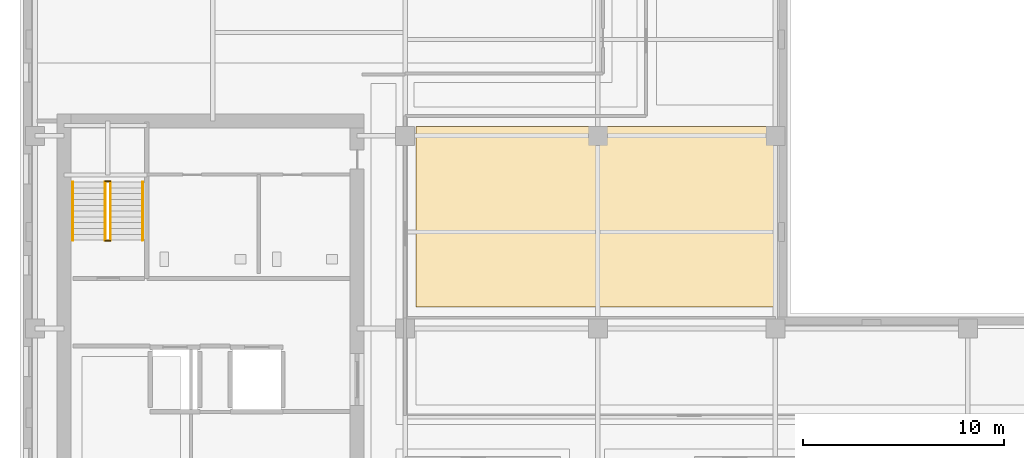
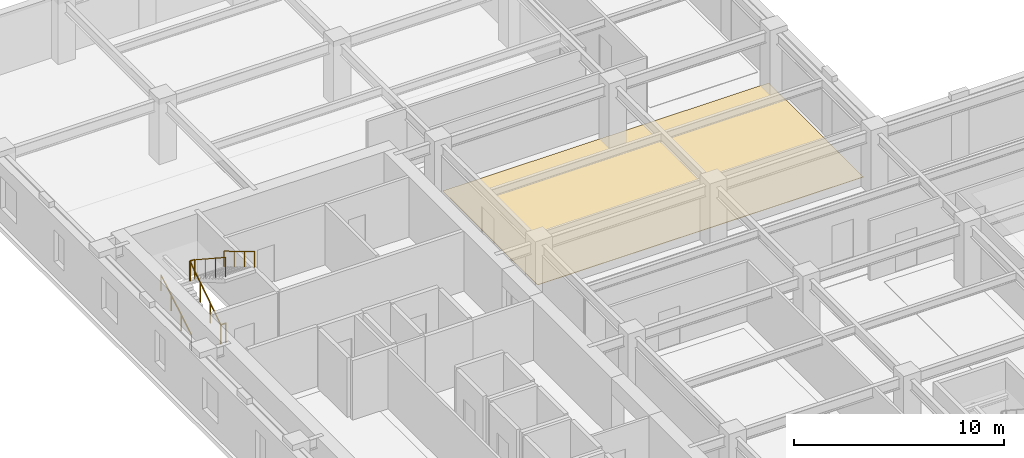
# One storey, part 11 of 13: 6 railings, 1 covering.
"""IFC4 building model written with IfcOpenShell, lengths in metres."""

import ifcopenshell
import ifcopenshell.guid

model = None  # the IFC model being written
_history = None  # IfcOwnerHistory: only IFC2X3 demands one
_inside = {}  # id of a spatial element -> (the spatial element, [elements in it])
_under = {}  # id of a project, library or spatial element -> (it, [spatial elements below it])
_declared = {}  # id of a project -> (the project, [libraries it declares])
_typed = {}  # id of a type object -> (the type object, [elements of that type])
_made_of = {}  # id of a material, layer set ... -> (it, [elements and type objects made of it])


def new_model(schema):
    """Start an empty IFC model of exactly this schema.

    Asked for "IFC4X3", IfcOpenShell would pick the latest addendum, in which some entities
    have other attributes; the version numbers below select the first issue.
    IFC2X3 requires an IfcOwnerHistory on every rooted entity: one is made here for all.
    """
    global model, _history
    if schema == "IFC4X3":
        model = ifcopenshell.file(schema_version=(4, 3, 0, 0))
    else:
        model = ifcopenshell.file(schema=schema)
    _inside.clear()
    _under.clear()
    _declared.clear()
    _typed.clear()
    _made_of.clear()
    _history = None
    if model.schema == "IFC2X3":
        org = make("IfcOrganization", Name="unknown")
        user = make(
            "IfcPersonAndOrganization",
            ThePerson=make("IfcPerson", FamilyName="unknown"),
            TheOrganization=org,
        )
        app = make(
            "IfcApplication",
            ApplicationDeveloper=org,
            Version="unknown",
            ApplicationFullName="unknown",
            ApplicationIdentifier="unknown",
        )
        _history = make(
            "IfcOwnerHistory",
            OwningUser=user,
            OwningApplication=app,
            ChangeAction="ADDED",
            CreationDate=0,
        )
    return model


def make(cls, **values):
    """One entity of the class cls with the attributes given. An attribute that is None is left unset."""
    return model.create_entity(
        cls, **{name: value for name, value in values.items() if value is not None}
    )


def rooted(cls, **values):
    """An entity with a GlobalId (a new one), such as an element, a storey or a relation."""
    return make(cls, GlobalId=ifcopenshell.guid.new(), OwnerHistory=_history, **values)


def si_unit(unit_type, name, prefix=None):
    """IfcSIUnit, for example si_unit("LENGTHUNIT", "METRE", prefix="MILLI")."""
    return make("IfcSIUnit", UnitType=unit_type, Prefix=prefix, Name=name)


def assignment(units):
    """IfcUnitAssignment: the units of a project."""
    return None if units is None else make("IfcUnitAssignment", Units=units)


def point(xyz):
    """IfcCartesianPoint."""
    return None if xyz is None else make("IfcCartesianPoint", Coordinates=xyz)


def direction(xyz):
    """IfcDirection."""
    return None if xyz is None else make("IfcDirection", DirectionRatios=xyz)


def frame(location, z_axis=None, x_axis=None):
    """IfcAxis2Placement3D, a coordinate frame: its origin and axes. An axis left out is left unset."""
    return make(
        "IfcAxis2Placement3D",
        Location=point(location),
        Axis=direction(z_axis),
        RefDirection=direction(x_axis),
    )


def frame_2d(location, x_axis=None):
    """IfcAxis2Placement2D, a coordinate frame in the plane: its origin and x axis."""
    return make(
        "IfcAxis2Placement2D", Location=point(location), RefDirection=direction(x_axis)
    )


def origin():
    """The frame at (0, 0, 0) with its axes left unset."""
    return frame((0.0, 0.0, 0.0))


def origin_2d():
    """The frame at (0, 0) in the plane with its x axis left unset."""
    return frame_2d((0.0, 0.0))


def place(relative_to, where):
    """IfcLocalPlacement: puts the frame where relative to a parent placement (None: the world)."""
    return make(
        "IfcLocalPlacement", PlacementRelTo=relative_to, RelativePlacement=where
    )


def context(
    kind, dimensions, precision=None, world=None, true_north=None, identifier=None
):
    """IfcGeometricRepresentationContext, for example the 3D "Model" context."""
    return make(
        "IfcGeometricRepresentationContext",
        ContextIdentifier=identifier,
        ContextType=kind,
        CoordinateSpaceDimension=dimensions,
        Precision=precision,
        WorldCoordinateSystem=world,
        TrueNorth=true_north,
    )


def subcontext(parent, identifier, kind, view, scale=None):
    """IfcGeometricRepresentationSubContext, for example "Body" below "Model"."""
    return make(
        "IfcGeometricRepresentationSubContext",
        ContextIdentifier=identifier,
        ContextType=kind,
        ParentContext=parent,
        TargetScale=scale,
        TargetView=view,
    )


def project(units=None, contexts=None):
    """IfcProject with its units and contexts."""
    return rooted(
        "IfcProject",
        Name="project",
        RepresentationContexts=contexts,
        UnitsInContext=assignment(units),
    )


def spatial(cls, under=None, at=None, **own):
    """A site, building, storey or space (cls), placed at a placement, below another one or the project."""
    s = rooted(cls, ObjectPlacement=at, **own)
    if under is not None:
        _under.setdefault(under.id(), (under, []))[1].append(s)
    return s


def polyline(points):
    """IfcPolyline through the points."""
    return make("IfcPolyline", Points=[point(p) for p in points])


def profile(cls, at=None, kind="AREA", **sizes):
    """A parametric profile (cls). Its sizes go by their IFC names, for example OverallWidth=200.0."""
    return make(cls, ProfileType=kind, Position=at, **sizes)


def circle(**sizes):
    """IfcCircleProfileDef."""
    return profile("IfcCircleProfileDef", **sizes)


def outline(outer, holes=None, kind="AREA"):
    """IfcArbitraryClosedProfileDef: a profile drawn as a closed curve; with holes, ...WithVoids."""
    if holes is None:
        return make("IfcArbitraryClosedProfileDef", ProfileType=kind, OuterCurve=outer)
    return make(
        "IfcArbitraryProfileDefWithVoids",
        ProfileType=kind,
        OuterCurve=outer,
        InnerCurves=holes,
    )


def extrude(swept, where, along, depth):
    """IfcExtrudedAreaSolid: the profile swept, set in the frame where, extruded along a direction by depth."""
    return make(
        "IfcExtrudedAreaSolid",
        SweptArea=swept,
        Position=where,
        ExtrudedDirection=direction(along),
        Depth=depth,
    )


def shape(context_of_items, identifier, shape_type, items):
    """IfcShapeRepresentation: the items that make up one representation, for example the "Body"."""
    return make(
        "IfcShapeRepresentation",
        ContextOfItems=context_of_items,
        RepresentationIdentifier=identifier,
        RepresentationType=shape_type,
        Items=items,
    )


def material(Name=None, Category=None):
    """IfcMaterial."""
    return make("IfcMaterial", Name=Name, Category=Category)


def layer(
    of_material, thickness, ventilated=None, Name=None, Category=None, Priority=None
):
    """IfcMaterialLayer: one layer of a wall or slab, of a material (None: an air gap)."""
    return make(
        "IfcMaterialLayer",
        Material=of_material,
        LayerThickness=thickness,
        IsVentilated=ventilated,
        Name=Name,
        Category=Category,
        Priority=Priority,
    )


def layer_set(layers, Name=None):
    """IfcMaterialLayerSet."""
    return make("IfcMaterialLayerSet", MaterialLayers=layers, LayerSetName=Name)


def made_of(thing, what):
    """Note that an element or type object is made of a material, layer set ...; save() writes the relation."""
    if what is not None:
        _made_of.setdefault(what.id(), (what, []))[1].append(thing)
    return thing


def type_object(cls, material=None, **own):
    """A type object (cls), such as IfcWallType, which elements share."""
    return made_of(rooted(cls, **own), material)


def element(
    cls,
    number,
    at=None,
    inside=None,
    cuts=None,
    type_object=None,
    material=None,
    context=None,
    identifier="Body",
    shape_type=None,
    held_by="IfcProductDefinitionShape",
    body=None,
    shapes=None,
    **own,
):
    """One element of the class cls, such as IfcWall. Its Tag is "e" and its number.

    at: its placement. inside: the storey or other place that contains it. cuts: it is an
    opening in that element (IfcRelVoidsElement). A single representation is given by context,
    identifier, shape_type and body (its items); several are given by shapes. held_by: the class
    of the entity that holds the representations. save() writes the other relations.
    """
    e = rooted(cls, Tag="e%d" % number, ObjectPlacement=at, **own)
    if body is not None:
        shapes = [shape(context, identifier, shape_type, body)]
    if shapes is not None:
        e.Representation = make(held_by, Representations=shapes)
    if inside is not None:
        _inside.setdefault(inside.id(), (inside, []))[1].append(e)
    if cuts is not None:
        rooted(
            "IfcRelVoidsElement", RelatingBuildingElement=cuts, RelatedOpeningElement=e
        )
    if type_object is not None:
        _typed.setdefault(type_object.id(), (type_object, []))[1].append(e)
    return made_of(e, material)


def aggregate(whole, parts):
    """IfcRelAggregates: a whole, such as a stair, and the parts it consists of."""
    return rooted("IfcRelAggregates", RelatingObject=whole, RelatedObjects=parts)


def save(model, path):
    """Write the relations noted so far, then the file.

    IfcRelAggregates (storeys below a building ...), IfcRelContainedInSpatialStructure (elements
    in a storey), IfcRelDefinesByType, IfcRelAssociatesMaterial and IfcRelDeclares: one each for
    every whole, place, type object, material and project.
    """
    for whole, parts in _under.values():
        aggregate(whole, parts)
    for where, things in _inside.values():
        rooted(
            "IfcRelContainedInSpatialStructure",
            RelatedElements=things,
            RelatingStructure=where,
        )
    for kind, things in _typed.values():
        rooted("IfcRelDefinesByType", RelatedObjects=things, RelatingType=kind)
    for what, things in _made_of.values():
        rooted("IfcRelAssociatesMaterial", RelatedObjects=things, RelatingMaterial=what)
    for by, libraries in _declared.values():
        rooted("IfcRelDeclares", RelatingContext=by, RelatedDefinitions=libraries)
    model.write(path)


model = new_model("IFC4")

# Units and contexts
model_context = context("Model", 3, precision=1e-05, world=origin(), true_north=direction((0.0, 1.0)))
body_context = subcontext(model_context, "Body", "Model", "MODEL_VIEW")
ifc_project = project(units=[si_unit("LENGTHUNIT", "METRE"), si_unit("AREAUNIT", "SQUARE_METRE"), si_unit("VOLUMEUNIT", "CUBIC_METRE"), si_unit("PLANEANGLEUNIT", "RADIAN"), si_unit("MASSUNIT", "GRAM", prefix="KILO")], contexts=[model_context])

# Site, building, storey
site_placement = place(None, origin())
site = spatial("IfcSite", under=ifc_project, at=site_placement, CompositionType="ELEMENT")
building_placement = place(site_placement, origin())
building = spatial("IfcBuilding", under=site, at=building_placement, Name="Norrvale University Quadrangle", CompositionType="ELEMENT")
storey_placement = place(building_placement, frame((0.0, 0.0, 190.199951171875)))
storey = spatial("IfcBuildingStorey", under=building, at=storey_placement, Name="L48", CompositionType="ELEMENT", Elevation=190.199951171875)

# Covering
ifc_material_1 = material(Name="Polished Terrazzo Flooring")
ifc_layer = layer(ifc_material_1, 0.02490234375, Name="Polished Terrazzo Flooring")
ifc_layer_set = layer_set([ifc_layer], Name="Polished Terrazzo Flooring")
covering_type = type_object("IfcCoveringType", Name="Covering Terrazzo Floor 30", PredefinedType="FLOORING", material=ifc_layer_set)
covering_placement = place(storey_placement, origin())
element("IfcCovering", 1, at=covering_placement, inside=storey, type_object=covering_type, Name="Terrazzo Flooring RM-L48-MNE01", PredefinedType="FLOORING", context=body_context, shape_type="SweptSolid", body=[
    extrude(outline(polyline([(19.72998046875, 47.719970703125), (37.64990234375, 47.719970703125), (37.64990234375, 38.7099609375), (19.72998046875, 38.7099609375), (19.72998046875, 47.719970703125)])), origin(), (0.0, 0.0, 1.0), 0.025146484375),
])

# Railings
ifc_material_2 = material(Name="Steel 350W Painted Balustrade", Category="steel")
railing_type_1 = type_object("IfcRailingType", Name="Railing Stair Guard 1100", PredefinedType="GUARDRAIL", material=ifc_material_2)
for number, where, name in (
    (2, (4.239990234375, 42.02001953125, 0.0), "Stair Floor Well Guard ST-02 L48"),
    (3, (4.239990234375, 44.97998046875, 1.900146484375), "Stair Mid-Landing Slot Guard ST-02 L48"),
):
    element("IfcRailing", number, at=place(storey_placement, frame(where)), inside=storey, type_object=railing_type_1, Name=name, PredefinedType="GUARDRAIL", context=body_context, shape_type="SweptSolid", body=[
        extrude(circle(Radius=0.02392578125, at=origin_2d()), frame((0.0, 0.0, 1.1259765625), z_axis=(1.0, 0.0, 0.0), x_axis=(0.0, 1.0, 0.0)), (0.0, 0.0, 1.0), 0.27001953125),
        extrude(circle(Radius=0.02099609375, at=origin_2d()), origin(), (0.0, 0.0, 1.0), 1.101806640625),
        extrude(circle(Radius=0.02099609375, at=origin_2d()), frame((0.27001953125, 0.0, 0.0)), (0.0, 0.0, 1.0), 1.101806640625),
    ])
railing_1_placement = place(storey_placement, frame((4.239990234375, 42.050048828125, 0.0)))
element("IfcRailing", 4, at=railing_1_placement, inside=storey, type_object=railing_type_1, Name="Stair Lower Flight Inner Guard ST-02 L48", PredefinedType="GUARDRAIL", context=body_context, shape_type="SweptSolid", body=[
    extrude(circle(Radius=0.02392578125, at=origin_2d()), frame((0.0, 0.0, 1.1259765625), z_axis=(0.0, 0.836433300813, 0.548068730445), x_axis=(-1.0, 0.0, 0.0)), (0.0, 0.0, 1.0), 3.467041015625),
    extrude(circle(Radius=0.02099609375, at=origin_2d()), origin(), (0.0, 0.0, 1.0), 1.101806640625),
    extrude(circle(Radius=0.02099609375, at=origin_2d()), frame((0.0, 0.966552734375, 0.63330078125)), (0.0, 0.0, 1.0), 1.101806640625),
    extrude(circle(Radius=0.02099609375, at=origin_2d()), frame((0.0, 1.933349609375, 1.266845703125)), (0.0, 0.0, 1.0), 1.101806640625),
    extrude(circle(Radius=0.02099609375, at=origin_2d()), frame((0.0, 2.89990234375, 1.900146484375)), (0.0, 0.0, 1.0), 1.101806640625),
])
railing_2_placement = place(storey_placement, frame((4.510009765625, 44.949951171875, 1.900146484375)))
element("IfcRailing", 5, at=railing_2_placement, inside=storey, type_object=railing_type_1, Name="Stair Upper Flight Inner Guard ST-02 L48", PredefinedType="GUARDRAIL", context=body_context, shape_type="SweptSolid", body=[
    extrude(circle(Radius=0.02392578125, at=origin_2d()), frame((0.0, 0.0, 1.1259765625), z_axis=(0.0, -0.836465582154, 0.548019461216), x_axis=(1.0, 0.0, 0.0)), (0.0, 0.0, 1.0), 3.466796875),
    extrude(circle(Radius=0.02099609375, at=origin_2d()), origin(), (0.0, 0.0, 1.0), 1.101806640625),
    extrude(circle(Radius=0.02099609375, at=origin_2d()), frame((0.0, -0.966552734375, 0.63330078125)), (0.0, 0.0, 1.0), 1.101806640625),
    extrude(circle(Radius=0.02099609375, at=origin_2d()), frame((0.0, -1.933349609375, 1.2666015625)), (0.0, 0.0, 1.0), 1.101806640625),
    extrude(circle(Radius=0.02099609375, at=origin_2d()), frame((0.0, -2.89990234375, 1.89990234375)), (0.0, 0.0, 1.0), 1.101806640625),
])
ifc_material_3 = material(Name="Stainless Steel 316L Handrail", Category="steel")
railing_type_2 = type_object("IfcRailingType", Name="Railing Stair Handrail 920", PredefinedType="HANDRAIL", material=ifc_material_3)
railing_3_placement = place(storey_placement, frame((2.639892578125, 42.050048828125, 0.1728515625)))
element("IfcRailing", 6, at=railing_3_placement, inside=storey, type_object=railing_type_2, Name="Stair Lower Flight Handrail ST-02 L48", PredefinedType="HANDRAIL", context=body_context, shape_type="SweptSolid", body=[
    extrude(circle(Radius=0.02392578125, at=origin_2d()), frame((0.0, 0.0, 0.89599609375), z_axis=(0.0, 0.859141464434, 0.511738159696), x_axis=(-1.0, 0.0, 0.0)), (0.0, 0.0, 1.0), 3.375244140625),
    extrude(circle(Radius=0.02099609375, at=origin_2d()), origin(), (0.0, 0.0, 1.0), 0.871826171875),
    extrude(circle(Radius=0.02099609375, at=origin_2d()), frame((0.0, 0.966552734375, 0.57568359375)), (0.0, 0.0, 1.0), 0.871826171875),
    extrude(circle(Radius=0.02099609375, at=origin_2d()), frame((0.0, 1.933349609375, 1.151611328125)), (0.0, 0.0, 1.0), 0.871826171875),
    extrude(circle(Radius=0.02099609375, at=origin_2d()), frame((0.0, 2.89990234375, 1.727294921875)), (0.0, 0.0, 1.0), 0.871826171875),
])
railing_4_placement = place(storey_placement, frame((6.110107421875, 44.949951171875, 2.07275390625)))
element("IfcRailing", 7, at=railing_4_placement, inside=storey, type_object=railing_type_2, Name="Stair Upper Flight Handrail ST-02 L48", PredefinedType="HANDRAIL", context=body_context, shape_type="SweptSolid", body=[
    extrude(circle(Radius=0.02392578125, at=origin_2d()), frame((0.0, 0.0, 0.89599609375), z_axis=(0.0, -0.859141464434, 0.511738159696), x_axis=(1.0, 0.0, 0.0)), (0.0, 0.0, 1.0), 3.375244140625),
    extrude(circle(Radius=0.02099609375, at=origin_2d()), origin(), (0.0, 0.0, 1.0), 0.871826171875),
    extrude(circle(Radius=0.02099609375, at=origin_2d()), frame((0.0, -0.966552734375, 0.57568359375)), (0.0, 0.0, 1.0), 0.871826171875),
    extrude(circle(Radius=0.02099609375, at=origin_2d()), frame((0.0, -1.933349609375, 1.151611328125)), (0.0, 0.0, 1.0), 0.871826171875),
    extrude(circle(Radius=0.02099609375, at=origin_2d()), frame((0.0, -2.89990234375, 1.727294921875)), (0.0, 0.0, 1.0), 0.871826171875),
])

save(model, "model.ifc")
